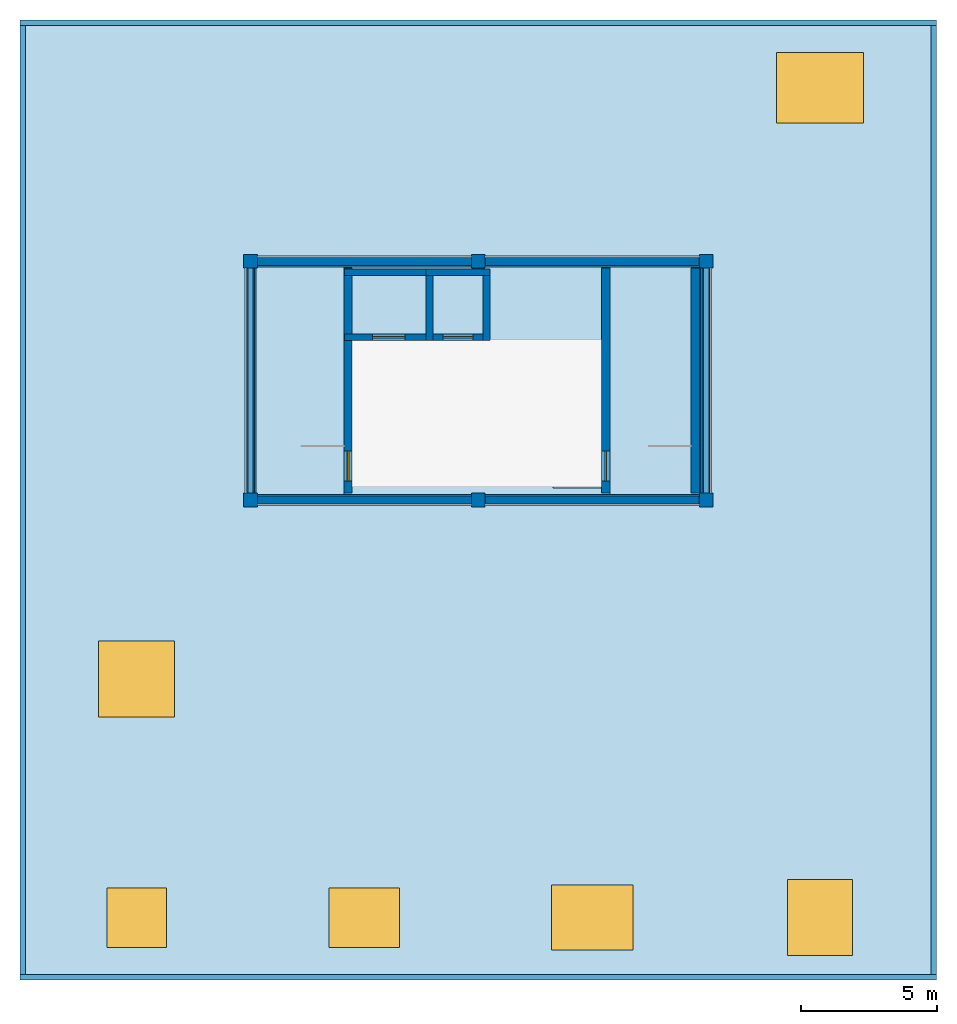
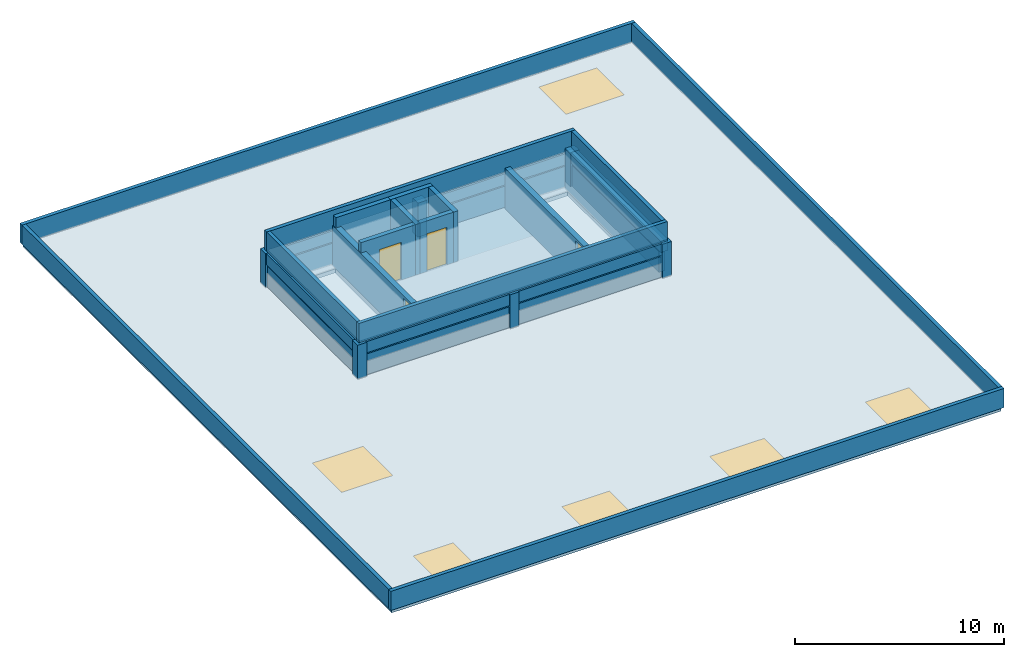
# One storey, part 1 of 2: 23 walls, 6 beams, 6 columns, 6 windows, 4 doors, 3 slabs, 10 openings.
"""IFC4 building model written with IfcOpenShell, lengths in metres."""

from ifc_helpers import new_model, si_unit, direction, frame, frame_2d, origin, origin_2d, place, context, subcontext, project, spatial, polyline, rectangle, outline, extrude, material, layer, layer_set, material_profile, profile_set, type_object, element, fill, save


model = new_model("IFC4")

# Units and contexts
model_context = context("Model", 3, precision=1e-05, world=origin(), true_north=direction((0.0, 1.0)))
body_context = subcontext(model_context, "Body", "Model", "MODEL_VIEW")
ifc_project = project(units=[si_unit("LENGTHUNIT", "METRE"), si_unit("AREAUNIT", "SQUARE_METRE"), si_unit("VOLUMEUNIT", "CUBIC_METRE"), si_unit("PLANEANGLEUNIT", "RADIAN"), si_unit("MASSUNIT", "GRAM", prefix="KILO")], contexts=[model_context])

# Site, building, storey
site_placement = place(None, origin())
site = spatial("IfcSite", under=ifc_project, at=site_placement, CompositionType="ELEMENT")
building_placement = place(site_placement, origin())
building = spatial("IfcBuilding", under=site, at=building_placement, Name="Kemercrest Conservatory and Botanical Centre", CompositionType="ELEMENT")
storey_placement = place(building_placement, frame((0.0, 0.0, 68.0)))
storey = spatial("IfcBuildingStorey", under=building, at=storey_placement, Name="RF", CompositionType="ELEMENT", Elevation=68.0)

# Columns
ifc_material_1 = material(Name="Concrete C40/50", Category="concrete")
ifc_material_profile_1 = material_profile(ifc_material_1, rectangle(XDim=0.5, YDim=0.5, at=origin_2d()), Name="RC 500x500")
ifc_profile_set_1 = profile_set([ifc_material_profile_1], Name="Concrete C40/50")
column_type = type_object("IfcColumnType", Name="C-RC50", PredefinedType="COLUMN", material=ifc_profile_set_1)
for number, where, z_axis, x_axis, name in (
    (1, (150.800048828125, 104.800048828125, 0.0), (0.0, 0.0, 1.0), (1.0, 0.0, 0.0), "Tower core overrun column 18/M"),
    (2, (150.800048828125, 113.60009765625, 0.0), (0.0, 0.0, 1.0), (1.0, 0.0, 0.0), "Tower core overrun column 18/N"),
    (3, (159.199951171875, 104.800048828125, 0.0), (0.0, 0.0, 1.0), (1.0, 0.0, 0.0), "Tower core overrun column 19/M"),
    (4, (159.199951171875, 113.60009765625, 0.0), (0.0, 0.0, 1.0), (1.0, 0.0, 0.0), "Tower core overrun column 19/N"),
    (5, (167.60009765625, 104.800048828125, 0.0), (0.0, 0.0, 1.0), (1.0, 0.0, 0.0), "Tower core overrun column 20/M"),
    (6, (167.60009765625, 113.60009765625, 0.0), (0.0, 0.0, 1.0), (1.0, 0.0, 0.0), "Tower core overrun column 20/N"),
):
    element("IfcColumn", number, at=place(storey_placement, frame(where, z_axis=z_axis, x_axis=x_axis)), inside=storey, type_object=column_type, Name=name, PredefinedType="COLUMN", context=body_context, shape_type="SweptSolid", body=[
        extrude(rectangle(XDim=0.5, YDim=0.5, at=origin_2d()), origin(), (0.0, 0.0, 1.0), 1.989990234375),
    ])

# Beams
ifc_material_profile_2 = material_profile(ifc_material_1, rectangle(XDim=0.39990234375, YDim=0.64990234375, at=origin_2d()), Name="RC 400x650")
ifc_profile_set_2 = profile_set([ifc_material_profile_2], Name="Concrete C40/50")
beam_type = type_object("IfcBeamType", Name="SP-RC65", PredefinedType="SPANDREL", material=ifc_profile_set_2)
beam_1_placement = place(storey_placement, frame((150.800048828125, 104.800048828125, 1.6650390625), z_axis=(1.0, 0.0, 0.0), x_axis=(0.0, 1.0, 0.0)))
element("IfcBeam", 7, at=beam_1_placement, inside=storey, type_object=beam_type, Name="Tower overrun perimeter spandrel beam 1", PredefinedType="SPANDREL", context=body_context, shape_type="SweptSolid", body=[
    extrude(rectangle(XDim=0.39990234375, YDim=0.64990234375, at=origin_2d()), origin(), (0.0, 0.0, 1.0), 8.39990234375),
])
beam_2_placement = place(storey_placement, frame((159.199951171875, 104.800048828125, 1.6650390625), z_axis=(1.0, 0.0, 0.0), x_axis=(0.0, 1.0, 0.0)))
element("IfcBeam", 8, at=beam_2_placement, inside=storey, type_object=beam_type, Name="Tower overrun perimeter spandrel beam 2", PredefinedType="SPANDREL", context=body_context, shape_type="SweptSolid", body=[
    extrude(rectangle(XDim=0.39990234375, YDim=0.64990234375, at=origin_2d()), origin(), (0.0, 0.0, 1.0), 8.400146484375),
])
beam_3_placement = place(storey_placement, frame((150.800048828125, 113.60009765625, 1.6650390625), z_axis=(1.0, 0.0, 0.0), x_axis=(0.0, 1.0, 0.0)))
element("IfcBeam", 9, at=beam_3_placement, inside=storey, type_object=beam_type, Name="Tower overrun perimeter spandrel beam 3", PredefinedType="SPANDREL", context=body_context, shape_type="SweptSolid", body=[
    extrude(rectangle(XDim=0.39990234375, YDim=0.64990234375, at=origin_2d()), origin(), (0.0, 0.0, 1.0), 8.39990234375),
])
beam_4_placement = place(storey_placement, frame((159.199951171875, 113.60009765625, 1.6650390625), z_axis=(1.0, 0.0, 0.0), x_axis=(0.0, 1.0, 0.0)))
element("IfcBeam", 10, at=beam_4_placement, inside=storey, type_object=beam_type, Name="Tower overrun perimeter spandrel beam 4", PredefinedType="SPANDREL", context=body_context, shape_type="SweptSolid", body=[
    extrude(rectangle(XDim=0.39990234375, YDim=0.64990234375, at=origin_2d()), origin(), (0.0, 0.0, 1.0), 8.400146484375),
])
for number, where, z_axis, x_axis, name in (
    (11, (150.800048828125, 104.800048828125, 1.6650390625), (0.0, 1.0, 0.0), (-1.0, 0.0, 0.0), "Tower overrun perimeter spandrel beam 5"),
    (12, (167.60009765625, 104.800048828125, 1.6650390625), (0.0, 1.0, 0.0), (-1.0, 0.0, 0.0), "Tower overrun perimeter spandrel beam 6"),
):
    element("IfcBeam", number, at=place(storey_placement, frame(where, z_axis=z_axis, x_axis=x_axis)), inside=storey, type_object=beam_type, Name=name, PredefinedType="SPANDREL", context=body_context, shape_type="SweptSolid", body=[
        extrude(rectangle(XDim=0.39990234375, YDim=0.64990234375, at=origin_2d()), origin(), (0.0, 0.0, 1.0), 8.800048828125),
    ])

# Slabs
ifc_layer_1 = layer(ifc_material_1, 0.280029296875)
ifc_layer_set_1 = layer_set([ifc_layer_1], Name="Concrete C40/50")
slab_type_1 = type_object("IfcSlabType", Name="SL-FL280", PredefinedType="FLOOR", material=ifc_layer_set_1)
slab_1_placement = place(storey_placement, frame((0.0, 0.0, -0.280029296875)))
element("IfcSlab", 13, at=slab_1_placement, inside=storey, type_object=slab_type_1, Name="V4 Tower RF Overrun Lobby Floor Slab", PredefinedType="FLOOR", context=body_context, shape_type="SweptSolid", body=[
    extrude(outline(polyline([(154.25, 113.60009765625), (154.25, 104.800048828125), (164.050048828125, 104.800048828125), (164.050048828125, 113.60009765625), (154.25, 113.60009765625)]), holes=[polyline([(161.949951171875, 106.949951171875), (163.85009765625, 106.949951171875), (163.85009765625, 105.25), (161.949951171875, 105.25), (161.949951171875, 106.949951171875)]), polyline([(159.5, 113.199951171875), (159.5, 110.800048828125), (154.39990234375, 110.800048828125), (154.39990234375, 113.199951171875), (159.5, 113.199951171875)])]), origin(), (0.0, 0.0, 1.0), 0.280029296875),
])
ifc_layer_2 = layer(ifc_material_1, 0.159912109375)
ifc_layer_set_2 = layer_set([ifc_layer_2], Name="Concrete C40/50")
slab_type_2 = type_object("IfcSlabType", Name="SL-OCU160", PredefinedType="ROOF", material=ifc_layer_set_2)
slab_2_placement = place(storey_placement, frame((0.0, 0.0, 1.830078125)))
element("IfcSlab", 14, at=slab_2_placement, inside=storey, type_object=slab_type_2, Name="V4 Tower Lift and Stair Overrun Roof Slab", PredefinedType="ROOF", context=body_context, shape_type="SweptSolid", body=[
    extrude(outline(polyline([(150.800048828125, 104.800048828125), (167.60009765625, 104.800048828125), (167.60009765625, 113.60009765625), (150.800048828125, 113.60009765625), (150.800048828125, 104.800048828125)])), origin(), (0.0, 0.0, 1.0), 0.159912109375),
])

# Slab, openings, windows
ifc_layer_3 = layer(ifc_material_1, 0.22998046875)
ifc_layer_set_3 = layer_set([ifc_layer_3], Name="Concrete C40/50")
slab_type_3 = type_object("IfcSlabType", Name="SL-RF230", PredefinedType="ROOF", material=ifc_layer_set_3)
slab_3_placement = place(storey_placement, frame((0.0, 0.0, -0.22998046875)))
slab_3 = element("IfcSlab", 15, at=slab_3_placement, inside=storey, type_object=slab_type_3, Name="V4 Research and Herbarium Tower RF Slab", PredefinedType="ROOF", context=body_context, shape_type="SweptSolid", body=[
    extrude(outline(polyline([(142.39990234375, 122.39990234375), (142.39990234375, 87.199951171875), (176.0, 87.199951171875), (176.0, 122.39990234375), (142.39990234375, 122.39990234375)]), holes=[polyline([(151.260009765625, 106.864990234375), (151.260009765625, 113.06005859375), (154.25, 113.06005859375), (154.25, 113.60009765625), (164.050048828125, 113.60009765625), (164.050048828125, 113.06005859375), (167.0400390625, 113.06005859375), (167.0400390625, 106.864990234375), (164.050048828125, 106.864990234375), (164.050048828125, 104.800048828125), (154.25, 104.800048828125), (154.25, 106.864990234375), (151.260009765625, 106.864990234375)])]), origin(), (0.0, 0.0, 1.0), 0.22998046875),
])
opening_1_placement = place(slab_3_placement, frame((146.60009765625, 89.39990234375, 0.0)))
opening_1 = element("IfcOpeningElement", 16, at=opening_1_placement, cuts=slab_3, Name="Opening WT-23", PredefinedType="OPENING", context=body_context, shape_type="SweptSolid", body=[
    extrude(rectangle(XDim=2.199951171875, YDim=2.199951171875, at=origin_2d()), origin(), (0.0, 0.0, 1.0), 0.22998046875),
])
opening_2_placement = place(slab_3_placement, frame((155.0, 89.39990234375, 0.0)))
opening_2 = element("IfcOpeningElement", 17, at=opening_2_placement, cuts=slab_3, Name="Opening WT-24", PredefinedType="OPENING", context=body_context, shape_type="SweptSolid", body=[
    extrude(rectangle(XDim=2.60009765625, YDim=2.199951171875, at=origin_2d()), origin(), (0.0, 0.0, 1.0), 0.22998046875),
])
opening_3_placement = place(slab_3_placement, frame((163.39990234375, 89.39990234375, 0.0)))
opening_3 = element("IfcOpeningElement", 18, at=opening_3_placement, cuts=slab_3, Name="Opening WT-25", PredefinedType="OPENING", context=body_context, shape_type="SweptSolid", body=[
    extrude(rectangle(XDim=3.0, YDim=2.39990234375, at=origin_2d()), origin(), (0.0, 0.0, 1.0), 0.22998046875),
])
opening_4_placement = place(slab_3_placement, frame((171.800048828125, 89.39990234375, 0.0)))
opening_4 = element("IfcOpeningElement", 19, at=opening_4_placement, cuts=slab_3, Name="Opening WT-26", PredefinedType="OPENING", context=body_context, shape_type="SweptSolid", body=[
    extrude(rectangle(XDim=2.39990234375, YDim=2.800048828125, at=origin_2d()), origin(), (0.0, 0.0, 1.0), 0.22998046875),
])
opening_5_placement = place(slab_3_placement, frame((146.60009765625, 98.199951171875, 0.0)))
opening_5 = element("IfcOpeningElement", 20, at=opening_5_placement, cuts=slab_3, Name="Opening WT-27", PredefinedType="OPENING", context=body_context, shape_type="SweptSolid", body=[
    extrude(rectangle(XDim=2.800048828125, YDim=2.800048828125, at=origin_2d()), origin(), (0.0, 0.0, 1.0), 0.22998046875),
])
opening_6_placement = place(slab_3_placement, frame((171.800048828125, 120.0, 0.0)))
opening_6 = element("IfcOpeningElement", 21, at=opening_6_placement, cuts=slab_3, Name="Opening WT-28", PredefinedType="OPENING", context=body_context, shape_type="SweptSolid", body=[
    extrude(rectangle(XDim=3.199951171875, YDim=2.60009765625, at=origin_2d()), origin(), (0.0, 0.0, 1.0), 0.22998046875),
])
ifc_material_2 = material(Name="Thermally broken bronze-anodized aluminium and triple glazing", Category="aluminium")
window_type_1 = type_object("IfcWindowType", Name="WT-23", PartitioningType="SINGLE_PANEL", PredefinedType="SKYLIGHT", material=ifc_material_2)
window_1_placement = place(opening_1_placement, frame((0.0, 0.0, 0.179931640625)))
window_1 = element("IfcWindow", 22, at=window_1_placement, inside=storey, type_object=window_type_1, Name="Insulated roof skylight WT-23 #7", OverallHeight=2.199951171875, OverallWidth=2.199951171875, PartitioningType="SINGLE_PANEL", PredefinedType="SKYLIGHT", context=body_context, shape_type="SweptSolid", body=[
    extrude(rectangle(XDim=2.199951171875, YDim=2.199951171875, at=origin_2d()), origin(), (0.0, 0.0, 1.0), 0.050048828125),
])
fill(opening_1, window_1)
window_type_2 = type_object("IfcWindowType", Name="WT-24", PartitioningType="SINGLE_PANEL", PredefinedType="SKYLIGHT", material=ifc_material_2)
window_2_placement = place(opening_2_placement, frame((0.0, 0.0, 0.179931640625)))
window_2 = element("IfcWindow", 23, at=window_2_placement, inside=storey, type_object=window_type_2, Name="Insulated roof skylight WT-24 #8", OverallHeight=2.199951171875, OverallWidth=2.60009765625, PartitioningType="SINGLE_PANEL", PredefinedType="SKYLIGHT", context=body_context, shape_type="SweptSolid", body=[
    extrude(rectangle(XDim=2.60009765625, YDim=2.199951171875, at=origin_2d()), origin(), (0.0, 0.0, 1.0), 0.050048828125),
])
fill(opening_2, window_2)
window_type_3 = type_object("IfcWindowType", Name="WT-25", PartitioningType="SINGLE_PANEL", PredefinedType="SKYLIGHT", material=ifc_material_2)
window_3_placement = place(opening_3_placement, frame((0.0, 0.0, 0.179931640625)))
window_3 = element("IfcWindow", 24, at=window_3_placement, inside=storey, type_object=window_type_3, Name="Insulated roof skylight WT-25 #9", OverallHeight=2.39990234375, OverallWidth=3.0, PartitioningType="SINGLE_PANEL", PredefinedType="SKYLIGHT", context=body_context, shape_type="SweptSolid", body=[
    extrude(rectangle(XDim=3.0, YDim=2.39990234375, at=origin_2d()), origin(), (0.0, 0.0, 1.0), 0.050048828125),
])
fill(opening_3, window_3)
window_type_4 = type_object("IfcWindowType", Name="WT-26", PartitioningType="SINGLE_PANEL", PredefinedType="SKYLIGHT", material=ifc_material_2)
window_4_placement = place(opening_4_placement, frame((0.0, 0.0, 0.179931640625)))
window_4 = element("IfcWindow", 25, at=window_4_placement, inside=storey, type_object=window_type_4, Name="Insulated roof skylight WT-26 #10", OverallHeight=2.800048828125, OverallWidth=2.39990234375, PartitioningType="SINGLE_PANEL", PredefinedType="SKYLIGHT", context=body_context, shape_type="SweptSolid", body=[
    extrude(rectangle(XDim=2.39990234375, YDim=2.800048828125, at=origin_2d()), origin(), (0.0, 0.0, 1.0), 0.050048828125),
])
fill(opening_4, window_4)
window_type_5 = type_object("IfcWindowType", Name="WT-27", PartitioningType="SINGLE_PANEL", PredefinedType="SKYLIGHT", material=ifc_material_2)
window_5_placement = place(opening_5_placement, frame((0.0, 0.0, 0.179931640625)))
window_5 = element("IfcWindow", 26, at=window_5_placement, inside=storey, type_object=window_type_5, Name="Insulated roof skylight WT-27 #11", OverallHeight=2.800048828125, OverallWidth=2.800048828125, PartitioningType="SINGLE_PANEL", PredefinedType="SKYLIGHT", context=body_context, shape_type="SweptSolid", body=[
    extrude(rectangle(XDim=2.800048828125, YDim=2.800048828125, at=origin_2d()), origin(), (0.0, 0.0, 1.0), 0.050048828125),
])
fill(opening_5, window_5)
window_type_6 = type_object("IfcWindowType", Name="WT-28", PartitioningType="SINGLE_PANEL", PredefinedType="SKYLIGHT", material=ifc_material_2)
window_6_placement = place(opening_6_placement, frame((0.0, 0.0, 0.179931640625)))
window_6 = element("IfcWindow", 27, at=window_6_placement, inside=storey, type_object=window_type_6, Name="Insulated roof skylight WT-28 #12", OverallHeight=2.60009765625, OverallWidth=3.199951171875, PartitioningType="SINGLE_PANEL", PredefinedType="SKYLIGHT", context=body_context, shape_type="SweptSolid", body=[
    extrude(rectangle(XDim=3.199951171875, YDim=2.60009765625, at=origin_2d()), origin(), (0.0, 0.0, 1.0), 0.050048828125),
])
fill(opening_6, window_6)

# Wall, opening, door
ifc_material_3 = material(Name="Concrete C50/60", Category="concrete")
ifc_layer_4 = layer(ifc_material_3, 0.300048828125)
ifc_layer_set_4 = layer_set([ifc_layer_4], Name="Concrete C50/60")
wall_type_1 = type_object("IfcWallType", Name="CW-STAIR", PredefinedType="SHEAR", material=ifc_layer_set_4)
wall_1_placement = place(storey_placement, frame((154.39990234375, 105.050048828125, 0.0), z_axis=(0.0, 0.0, 1.0), x_axis=(0.0, 1.0, 0.0)))
wall_1 = element("IfcWall", 28, at=wall_1_placement, inside=storey, type_object=wall_type_1, Name="Stair core ST-V4A shear wall E", PredefinedType="SHEAR", context=body_context, shape_type="SweptSolid", body=[
    extrude(rectangle(XDim=8.300048828125, YDim=0.300048828125, at=frame_2d((4.14990234375, 0.0))), origin(), (0.0, 0.0, 1.0), 2.35009765625),
])
opening_7_placement = place(wall_1_placement, frame((0.449951171875, 0.0, 0.0)))
opening_7 = element("IfcOpeningElement", 29, at=opening_7_placement, cuts=wall_1, Name="Opening D043", PredefinedType="OPENING", context=body_context, shape_type="SweptSolid", body=[
    extrude(rectangle(XDim=1.10009765625, YDim=2.199951171875, at=frame_2d((0.550048828125, 1.10009765625))), frame((0.0, 0.16015625, 0.0), z_axis=(0.0, -1.0, 0.0), x_axis=(1.0, 0.0, 0.0)), (0.0, 0.0, 1.0), 0.320068359375),
])
ifc_material_4 = material(Name="Powder-coated galvanized steel and fire-rated vision glass", Category="steel")
door_type_1 = type_object("IfcDoorType", Name="DT-FD90", OperationType="NOTDEFINED", PredefinedType="DOOR", material=ifc_material_4)
door_1_placement = place(opening_7_placement, frame((1.10009765625, 0.0, 0.0), z_axis=(0.0, 0.0, 1.0), x_axis=(-1.0, 0.0, 0.0)))
door_1 = element("IfcDoor", 30, at=door_1_placement, inside=storey, type_object=door_type_1, Name="Exit stair ST-V4A fire door D043", OperationType="SINGLE_SWING_LEFT", OverallHeight=2.199951171875, OverallWidth=1.10009765625, PredefinedType="DOOR", context=body_context, shape_type="SweptSolid", body=[
    extrude(rectangle(XDim=1.10009765625, YDim=2.199951171875, at=frame_2d((0.550048828125, 1.10009765625))), frame((0.0, 0.02490234375, 0.0), z_axis=(0.0, -1.0, 0.0), x_axis=(1.0, 0.0, 0.0)), (0.0, 0.0, 1.0), 0.050048828125),
])
fill(opening_7, door_1)

wall_2_placement = place(storey_placement, frame((163.89990234375, 105.050048828125, 0.0), z_axis=(0.0, 0.0, 1.0), x_axis=(0.0, 1.0, 0.0)))
wall_2 = element("IfcWall", 31, at=wall_2_placement, inside=storey, type_object=wall_type_1, Name="Stair core ST-V4B shear wall W", PredefinedType="SHEAR", context=body_context, shape_type="SweptSolid", body=[
    extrude(rectangle(XDim=8.300048828125, YDim=0.300048828125, at=frame_2d((4.14990234375, 0.0))), origin(), (0.0, 0.0, 1.0), 2.35009765625),
])
opening_8_placement = place(wall_2_placement, frame((0.449951171875, 0.0, 0.0)))
opening_8 = element("IfcOpeningElement", 32, at=opening_8_placement, cuts=wall_2, Name="Opening D062", PredefinedType="OPENING", context=body_context, shape_type="SweptSolid", body=[
    extrude(rectangle(XDim=1.10009765625, YDim=2.199951171875, at=frame_2d((0.550048828125, 1.10009765625))), frame((0.0, 0.16015625, 0.0), z_axis=(0.0, -1.0, 0.0), x_axis=(1.0, 0.0, 0.0)), (0.0, 0.0, 1.0), 0.320068359375),
])
door_2_placement = place(opening_8_placement, origin())
door_2 = element("IfcDoor", 33, at=door_2_placement, inside=storey, type_object=door_type_1, Name="Exit stair ST-V4B fire door D062", OperationType="SINGLE_SWING_RIGHT", OverallHeight=2.199951171875, OverallWidth=1.10009765625, PredefinedType="DOOR", context=body_context, shape_type="SweptSolid", body=[
    extrude(rectangle(XDim=1.10009765625, YDim=2.199951171875, at=frame_2d((0.550048828125, 1.10009765625))), frame((0.0, 0.02490234375, 0.0), z_axis=(0.0, -1.0, 0.0), x_axis=(1.0, 0.0, 0.0)), (0.0, 0.0, 1.0), 0.050048828125),
])
fill(opening_8, door_2)

# Walls
wall_3_placement = place(storey_placement, frame((167.199951171875, 105.050048828125, 0.0), z_axis=(0.0, 0.0, 1.0), x_axis=(0.0, 1.0, 0.0)))
element("IfcWall", 34, at=wall_3_placement, inside=storey, type_object=wall_type_1, Name="Stair core ST-V4B shear wall E", PredefinedType="SHEAR", context=body_context, shape_type="SweptSolid", body=[
    extrude(rectangle(XDim=8.300048828125, YDim=0.300048828125, at=frame_2d((4.14990234375, 0.0))), origin(), (0.0, 0.0, 1.0), 2.35009765625),
])
ifc_material_5 = material(Name="Precast concrete C40/50", Category="concrete")
ifc_layer_5 = layer(ifc_material_5, 0.300048828125)
ifc_layer_set_5 = layer_set([ifc_layer_5], Name="Precast concrete C40/50")
wall_type_2 = type_object("IfcWallType", Name="W-EXT300", PredefinedType="SOLIDWALL", material=ifc_layer_set_5)
wall_4_placement = place(storey_placement, frame((151.06005859375, 104.800048828125, 0.0), z_axis=(0.0, 0.0, 1.0), x_axis=(1.0, 0.0, 0.0)))
element("IfcWall", 35, at=wall_4_placement, inside=storey, type_object=wall_type_2, Name="Exterior almasik wall W-EXT300 (WAL:RF:OVR-343)", PredefinedType="SOLIDWALL", context=body_context, shape_type="SweptSolid", body=[
    extrude(rectangle(XDim=7.8798828125, YDim=0.300048828125, at=frame_2d((3.93994140625, 0.0))), origin(), (0.0, 0.0, 1.0), 1.22998046875),
])
wall_5_placement = place(storey_placement, frame((159.4599609375, 104.800048828125, 0.0), z_axis=(0.0, 0.0, 1.0), x_axis=(1.0, 0.0, 0.0)))
element("IfcWall", 36, at=wall_5_placement, inside=storey, type_object=wall_type_2, Name="Exterior almasik wall W-EXT300 (WAL:RF:OVR-344)", PredefinedType="SOLIDWALL", context=body_context, shape_type="SweptSolid", body=[
    extrude(rectangle(XDim=7.880126953125, YDim=0.300048828125, at=frame_2d((3.93994140625, 0.0))), origin(), (0.0, 0.0, 1.0), 1.22998046875),
])
wall_6_placement = place(storey_placement, frame((167.60009765625, 105.06005859375, 0.0), z_axis=(0.0, 0.0, 1.0), x_axis=(0.0, 1.0, 0.0)))
element("IfcWall", 37, at=wall_6_placement, inside=storey, type_object=wall_type_2, Name="Exterior almasik wall W-EXT300 (WAL:RF:OVR-345)", PredefinedType="SOLIDWALL", context=body_context, shape_type="SweptSolid", body=[
    extrude(rectangle(XDim=8.280029296875, YDim=0.300048828125, at=frame_2d((4.14013671875, 0.0))), origin(), (0.0, 0.0, 1.0), 1.22998046875),
])
wall_7_placement = place(storey_placement, frame((167.340087890625, 113.60009765625, 0.0), z_axis=(0.0, 0.0, 1.0), x_axis=(-1.0, 0.0, 0.0)))
element("IfcWall", 38, at=wall_7_placement, inside=storey, type_object=wall_type_2, Name="Exterior almasik wall W-EXT300 (WAL:RF:OVR-346)", PredefinedType="SOLIDWALL", context=body_context, shape_type="SweptSolid", body=[
    extrude(rectangle(XDim=7.880126953125, YDim=0.300048828125, at=frame_2d((3.93994140625, 0.0))), origin(), (0.0, 0.0, 1.0), 1.22998046875),
])
wall_8_placement = place(storey_placement, frame((158.93994140625, 113.60009765625, 0.0), z_axis=(0.0, 0.0, 1.0), x_axis=(-1.0, 0.0, 0.0)))
element("IfcWall", 39, at=wall_8_placement, inside=storey, type_object=wall_type_2, Name="Exterior almasik wall W-EXT300 (WAL:RF:OVR-347)", PredefinedType="SOLIDWALL", context=body_context, shape_type="SweptSolid", body=[
    extrude(rectangle(XDim=7.8798828125, YDim=0.300048828125, at=frame_2d((3.93994140625, 0.0))), origin(), (0.0, 0.0, 1.0), 1.22998046875),
])
wall_9_placement = place(storey_placement, frame((150.800048828125, 113.340087890625, 0.0), z_axis=(0.0, 0.0, 1.0), x_axis=(0.0, -1.0, 0.0)))
element("IfcWall", 40, at=wall_9_placement, inside=storey, type_object=wall_type_2, Name="Exterior almasik wall W-EXT300 (WAL:RF:OVR-348)", PredefinedType="SOLIDWALL", context=body_context, shape_type="SweptSolid", body=[
    extrude(rectangle(XDim=8.280029296875, YDim=0.300048828125, at=frame_2d((4.14013671875, 0.0))), origin(), (0.0, 0.0, 1.0), 1.22998046875),
])
ifc_layer_6 = layer(ifc_material_5, 0.199951171875)
ifc_layer_set_6 = layer_set([ifc_layer_6], Name="Precast concrete C40/50")
wall_type_3 = type_object("IfcWallType", Name="W-PAR200", PredefinedType="PARAPET", material=ifc_layer_set_6)
wall_10_placement = place(storey_placement, frame((142.300048828125, 87.199951171875, 0.0), z_axis=(0.0, 0.0, 1.0), x_axis=(1.0, 0.0, 0.0)))
element("IfcWall", 41, at=wall_10_placement, inside=storey, type_object=wall_type_3, Name="V4-MAIN roof perimeter parapet #1", PredefinedType="PARAPET", context=body_context, shape_type="SweptSolid", body=[
    extrude(rectangle(XDim=33.800048828125, YDim=0.199951171875, at=frame_2d((16.89990234375, 0.0))), origin(), (0.0, 0.0, 1.0), 1.1201171875),
])
wall_11_placement = place(storey_placement, frame((176.0, 87.300048828125, 0.0), z_axis=(0.0, 0.0, 1.0), x_axis=(0.0, 1.0, 0.0)))
element("IfcWall", 42, at=wall_11_placement, inside=storey, type_object=wall_type_3, Name="V4-MAIN roof perimeter parapet #2", PredefinedType="PARAPET", context=body_context, shape_type="SweptSolid", body=[
    extrude(rectangle(XDim=35.0, YDim=0.199951171875, at=frame_2d((17.5, 0.0))), origin(), (0.0, 0.0, 1.0), 1.1201171875),
])
wall_12_placement = place(storey_placement, frame((176.10009765625, 122.39990234375, 0.0), z_axis=(0.0, 0.0, 1.0), x_axis=(-1.0, 0.0, 0.0)))
element("IfcWall", 43, at=wall_12_placement, inside=storey, type_object=wall_type_3, Name="V4-MAIN roof perimeter parapet #3", PredefinedType="PARAPET", context=body_context, shape_type="SweptSolid", body=[
    extrude(rectangle(XDim=33.800048828125, YDim=0.199951171875, at=frame_2d((16.89990234375, 0.0))), origin(), (0.0, 0.0, 1.0), 1.1201171875),
])
wall_13_placement = place(storey_placement, frame((142.39990234375, 122.300048828125, 0.0), z_axis=(0.0, 0.0, 1.0), x_axis=(0.0, -1.0, 0.0)))
element("IfcWall", 44, at=wall_13_placement, inside=storey, type_object=wall_type_3, Name="V4-MAIN roof perimeter parapet #4", PredefinedType="PARAPET", context=body_context, shape_type="SweptSolid", body=[
    extrude(rectangle(XDim=35.0, YDim=0.199951171875, at=frame_2d((17.5, 0.0))), origin(), (0.0, 0.0, 1.0), 1.1201171875),
])
wall_14_placement = place(storey_placement, frame((150.699951171875, 104.800048828125, 1.989990234375), z_axis=(0.0, 0.0, 1.0), x_axis=(1.0, 0.0, 0.0)))
element("IfcWall", 45, at=wall_14_placement, inside=storey, type_object=wall_type_3, Name="V4-OVR roof perimeter parapet #1", PredefinedType="PARAPET", context=body_context, shape_type="SweptSolid", body=[
    extrude(rectangle(XDim=17.0, YDim=0.199951171875, at=frame_2d((8.5, 0.0))), origin(), (0.0, 0.0, 1.0), 1.1201171875),
])
wall_15_placement = place(storey_placement, frame((167.60009765625, 104.89990234375, 1.989990234375), z_axis=(0.0, 0.0, 1.0), x_axis=(0.0, 1.0, 0.0)))
element("IfcWall", 46, at=wall_15_placement, inside=storey, type_object=wall_type_3, Name="V4-OVR roof perimeter parapet #2", PredefinedType="PARAPET", context=body_context, shape_type="SweptSolid", body=[
    extrude(rectangle(XDim=8.60009765625, YDim=0.199951171875, at=frame_2d((4.300048828125, 0.0))), origin(), (0.0, 0.0, 1.0), 1.1201171875),
])
wall_16_placement = place(storey_placement, frame((167.699951171875, 113.60009765625, 1.989990234375), z_axis=(0.0, 0.0, 1.0), x_axis=(-1.0, 0.0, 0.0)))
element("IfcWall", 47, at=wall_16_placement, inside=storey, type_object=wall_type_3, Name="V4-OVR roof perimeter parapet #3", PredefinedType="PARAPET", context=body_context, shape_type="SweptSolid", body=[
    extrude(rectangle(XDim=17.0, YDim=0.199951171875, at=frame_2d((8.5, 0.0))), origin(), (0.0, 0.0, 1.0), 1.1201171875),
])
wall_17_placement = place(storey_placement, frame((150.800048828125, 113.5, 1.989990234375), z_axis=(0.0, 0.0, 1.0), x_axis=(0.0, -1.0, 0.0)))
element("IfcWall", 48, at=wall_17_placement, inside=storey, type_object=wall_type_3, Name="V4-OVR roof perimeter parapet #4", PredefinedType="PARAPET", context=body_context, shape_type="SweptSolid", body=[
    extrude(rectangle(XDim=8.60009765625, YDim=0.199951171875, at=frame_2d((4.300048828125, 0.0))), origin(), (0.0, 0.0, 1.0), 1.1201171875),
])

# Wall, opening, door
ifc_layer_7 = layer(ifc_material_1, 0.25)
ifc_layer_set_7 = layer_set([ifc_layer_7], Name="Concrete C40/50")
wall_type_4 = type_object("IfcWallType", Name="W-SHFT250", PredefinedType="SOLIDWALL", material=ifc_layer_set_7)
wall_18_placement = place(storey_placement, frame((154.27490234375, 110.800048828125, 0.0), z_axis=(0.0, 0.0, 1.0), x_axis=(1.0, 0.0, 0.0)))
wall_18 = element("IfcWall", 49, at=wall_18_placement, inside=storey, type_object=wall_type_4, Name="Elevator LF-FF1 shaft wall south", PredefinedType="SOLIDWALL", context=body_context, shape_type="SweptSolid", body=[
    extrude(rectangle(XDim=3.25, YDim=0.25, at=frame_2d((1.625, 0.0))), origin(), (0.0, 0.0, 1.0), 2.949951171875),
])
opening_9_placement = place(wall_18_placement, frame((1.02490234375, 0.0, 0.0)))
opening_9 = element("IfcOpeningElement", 50, at=opening_9_placement, cuts=wall_18, Name="Opening LD-019", PredefinedType="OPENING", context=body_context, shape_type="SweptSolid", body=[
    extrude(rectangle(XDim=1.199951171875, YDim=2.199951171875, at=frame_2d((0.60009765625, 1.10009765625))), frame((0.0, 0.135009765625, 0.0), z_axis=(0.0, -1.0, 0.0), x_axis=(1.0, 0.0, 0.0)), (0.0, 0.0, 1.0), 0.27001953125),
])
door_type_2 = type_object("IfcDoorType", Name="DT-LD02", OperationType="SLIDING_TO_LEFT", PredefinedType="DOOR", material=ifc_material_4)
door_3_placement = place(opening_9_placement, origin())
door_3 = element("IfcDoor", 51, at=door_3_placement, inside=storey, type_object=door_type_2, Name="Elevator LF-FF1 sliding landing door LD-019", OperationType="SLIDING_TO_LEFT", OverallHeight=2.199951171875, OverallWidth=1.199951171875, PredefinedType="DOOR", context=body_context, shape_type="SweptSolid", body=[
    extrude(rectangle(XDim=1.199951171875, YDim=2.199951171875, at=frame_2d((0.60009765625, 1.10009765625))), frame((0.0, 0.02490234375, 0.0), z_axis=(0.0, -1.0, 0.0), x_axis=(1.0, 0.0, 0.0)), (0.0, 0.0, 1.0), 0.050048828125),
])
fill(opening_9, door_3)

# Walls
wall_19_placement = place(storey_placement, frame((154.27490234375, 113.199951171875, 0.0), z_axis=(0.0, 0.0, 1.0), x_axis=(1.0, 0.0, 0.0)))
element("IfcWall", 52, at=wall_19_placement, inside=storey, type_object=wall_type_4, Name="Elevator LF-FF1 shaft wall north", PredefinedType="SOLIDWALL", context=body_context, shape_type="SweptSolid", body=[
    extrude(rectangle(XDim=3.25, YDim=0.25, at=frame_2d((1.625, 0.0))), origin(), (0.0, 0.0, 1.0), 2.949951171875),
])
wall_20_placement = place(storey_placement, frame((157.39990234375, 110.675048828125, 0.0), z_axis=(0.0, 0.0, 1.0), x_axis=(0.0, 1.0, 0.0)))
element("IfcWall", 53, at=wall_20_placement, inside=storey, type_object=wall_type_4, Name="Elevator LF-FF1 shaft wall east", PredefinedType="SOLIDWALL", context=body_context, shape_type="SweptSolid", body=[
    extrude(rectangle(XDim=2.64990234375, YDim=0.25, at=frame_2d((1.324951171875, 0.0))), origin(), (0.0, 0.0, 1.0), 2.949951171875),
])

# Wall, opening, door
wall_21_placement = place(storey_placement, frame((157.27490234375, 110.800048828125, 0.0), z_axis=(0.0, 0.0, 1.0), x_axis=(1.0, 0.0, 0.0)))
wall_21 = element("IfcWall", 54, at=wall_21_placement, inside=storey, type_object=wall_type_4, Name="Elevator LF-P1 shaft wall south", PredefinedType="SOLIDWALL", context=body_context, shape_type="SweptSolid", body=[
    extrude(rectangle(XDim=2.35009765625, YDim=0.25, at=frame_2d((1.175048828125, 0.0))), origin(), (0.0, 0.0, 1.0), 2.949951171875),
])
opening_10_placement = place(wall_21_placement, frame((0.625, 0.0, 0.0)))
opening_10 = element("IfcOpeningElement", 55, at=opening_10_placement, cuts=wall_21, Name="Opening LD-038", PredefinedType="OPENING", context=body_context, shape_type="SweptSolid", body=[
    extrude(rectangle(XDim=1.10009765625, YDim=2.199951171875, at=frame_2d((0.550048828125, 1.10009765625))), frame((0.0, 0.135009765625, 0.0), z_axis=(0.0, -1.0, 0.0), x_axis=(1.0, 0.0, 0.0)), (0.0, 0.0, 1.0), 0.27001953125),
])
door_type_3 = type_object("IfcDoorType", Name="DT-LD01", OperationType="SLIDING_TO_LEFT", PredefinedType="DOOR", material=ifc_material_4)
door_4_placement = place(opening_10_placement, origin())
door_4 = element("IfcDoor", 56, at=door_4_placement, inside=storey, type_object=door_type_3, Name="Elevator LF-P1 sliding landing door LD-038", OperationType="SLIDING_TO_LEFT", OverallHeight=2.199951171875, OverallWidth=1.10009765625, PredefinedType="DOOR", context=body_context, shape_type="SweptSolid", body=[
    extrude(rectangle(XDim=1.10009765625, YDim=2.199951171875, at=frame_2d((0.550048828125, 1.10009765625))), frame((0.0, 0.02490234375, 0.0), z_axis=(0.0, -1.0, 0.0), x_axis=(1.0, 0.0, 0.0)), (0.0, 0.0, 1.0), 0.050048828125),
])
fill(opening_10, door_4)

# Walls
wall_22_placement = place(storey_placement, frame((157.27490234375, 113.199951171875, 0.0), z_axis=(0.0, 0.0, 1.0), x_axis=(1.0, 0.0, 0.0)))
element("IfcWall", 57, at=wall_22_placement, inside=storey, type_object=wall_type_4, Name="Elevator LF-P1 shaft wall north", PredefinedType="SOLIDWALL", context=body_context, shape_type="SweptSolid", body=[
    extrude(rectangle(XDim=2.35009765625, YDim=0.25, at=frame_2d((1.175048828125, 0.0))), origin(), (0.0, 0.0, 1.0), 2.949951171875),
])
wall_23_placement = place(storey_placement, frame((159.5, 110.675048828125, 0.0), z_axis=(0.0, 0.0, 1.0), x_axis=(0.0, 1.0, 0.0)))
element("IfcWall", 58, at=wall_23_placement, inside=storey, type_object=wall_type_4, Name="Elevator LF-P1 shaft wall east", PredefinedType="SOLIDWALL", context=body_context, shape_type="SweptSolid", body=[
    extrude(rectangle(XDim=2.64990234375, YDim=0.25, at=frame_2d((1.324951171875, 0.0))), origin(), (0.0, 0.0, 1.0), 2.949951171875),
])

save(model, "model.ifc")
